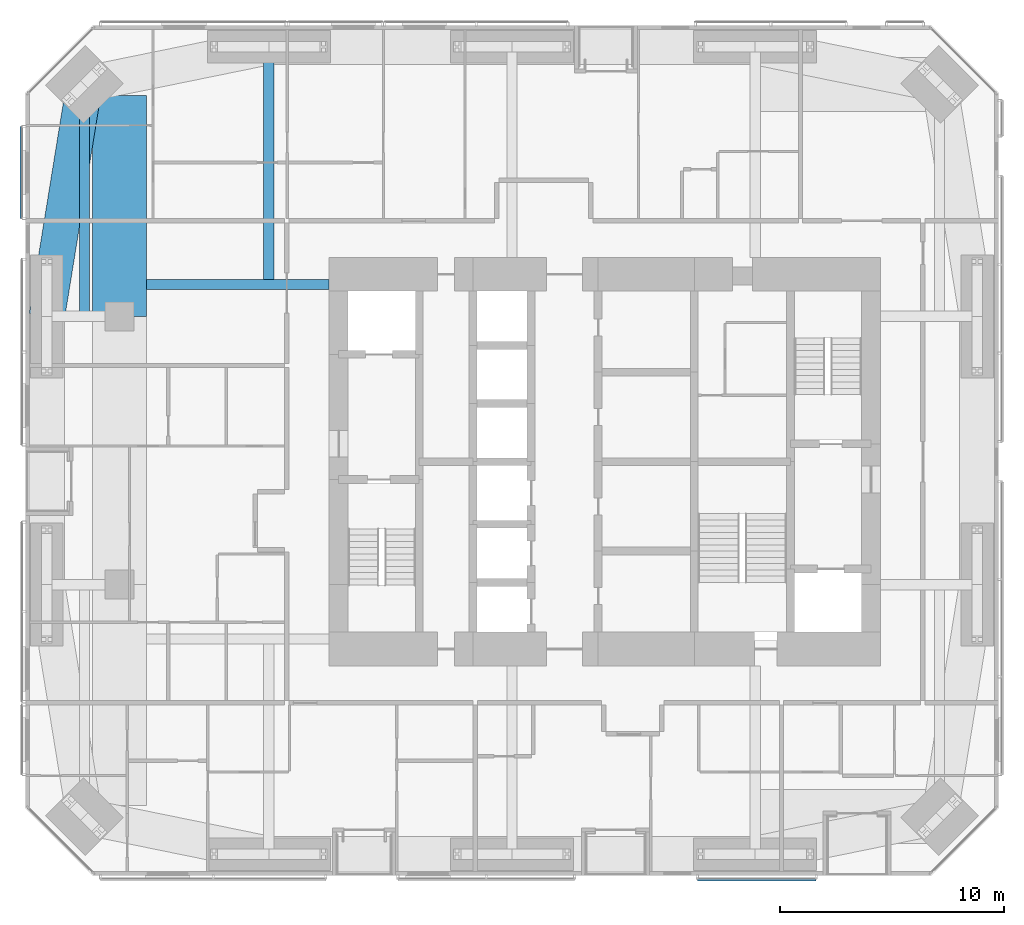
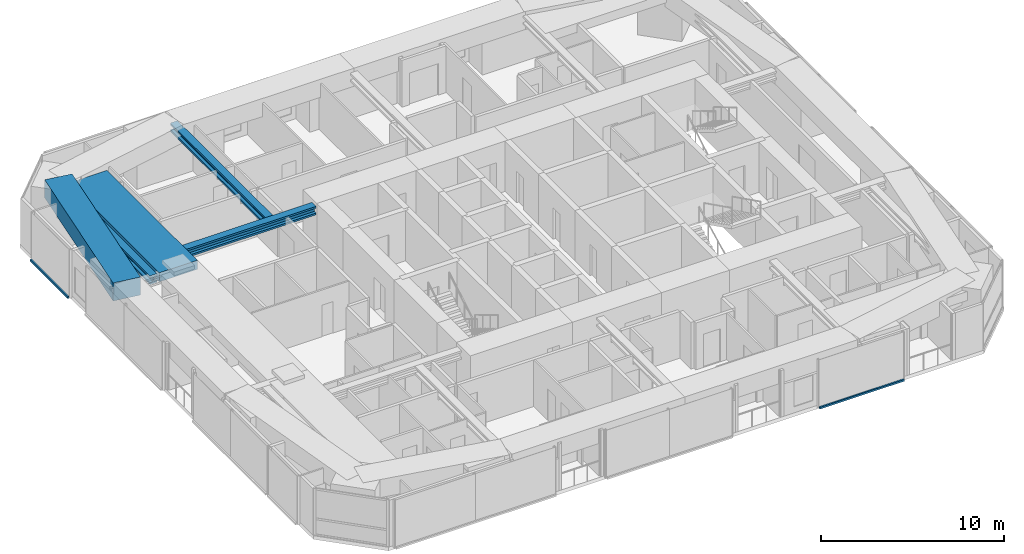
# One storey, part 7 of 23: 5 beams, 2 members, 2 elements without a shape of their own.
"""IFC4 building model written with IfcOpenShell, lengths in metres."""

import ifcopenshell
import ifcopenshell.guid

model = None  # the IFC model being written
_history = None  # IfcOwnerHistory: only IFC2X3 demands one
_inside = {}  # id of a spatial element -> (the spatial element, [elements in it])
_under = {}  # id of a project, library or spatial element -> (it, [spatial elements below it])
_declared = {}  # id of a project -> (the project, [libraries it declares])
_typed = {}  # id of a type object -> (the type object, [elements of that type])
_made_of = {}  # id of a material, layer set ... -> (it, [elements and type objects made of it])


def new_model(schema):
    """Start an empty IFC model of exactly this schema.

    Asked for "IFC4X3", IfcOpenShell would pick the latest addendum, in which some entities
    have other attributes; the version numbers below select the first issue.
    IFC2X3 requires an IfcOwnerHistory on every rooted entity: one is made here for all.
    """
    global model, _history
    if schema == "IFC4X3":
        model = ifcopenshell.file(schema_version=(4, 3, 0, 0))
    else:
        model = ifcopenshell.file(schema=schema)
    _inside.clear()
    _under.clear()
    _declared.clear()
    _typed.clear()
    _made_of.clear()
    _history = None
    if model.schema == "IFC2X3":
        org = make("IfcOrganization", Name="unknown")
        user = make(
            "IfcPersonAndOrganization",
            ThePerson=make("IfcPerson", FamilyName="unknown"),
            TheOrganization=org,
        )
        app = make(
            "IfcApplication",
            ApplicationDeveloper=org,
            Version="unknown",
            ApplicationFullName="unknown",
            ApplicationIdentifier="unknown",
        )
        _history = make(
            "IfcOwnerHistory",
            OwningUser=user,
            OwningApplication=app,
            ChangeAction="ADDED",
            CreationDate=0,
        )
    return model


def make(cls, **values):
    """One entity of the class cls with the attributes given. An attribute that is None is left unset."""
    return model.create_entity(
        cls, **{name: value for name, value in values.items() if value is not None}
    )


def rooted(cls, **values):
    """An entity with a GlobalId (a new one), such as an element, a storey or a relation."""
    return make(cls, GlobalId=ifcopenshell.guid.new(), OwnerHistory=_history, **values)


def si_unit(unit_type, name, prefix=None):
    """IfcSIUnit, for example si_unit("LENGTHUNIT", "METRE", prefix="MILLI")."""
    return make("IfcSIUnit", UnitType=unit_type, Prefix=prefix, Name=name)


def assignment(units):
    """IfcUnitAssignment: the units of a project."""
    return None if units is None else make("IfcUnitAssignment", Units=units)


def point(xyz):
    """IfcCartesianPoint."""
    return None if xyz is None else make("IfcCartesianPoint", Coordinates=xyz)


def direction(xyz):
    """IfcDirection."""
    return None if xyz is None else make("IfcDirection", DirectionRatios=xyz)


def frame(location, z_axis=None, x_axis=None):
    """IfcAxis2Placement3D, a coordinate frame: its origin and axes. An axis left out is left unset."""
    return make(
        "IfcAxis2Placement3D",
        Location=point(location),
        Axis=direction(z_axis),
        RefDirection=direction(x_axis),
    )


def frame_2d(location, x_axis=None):
    """IfcAxis2Placement2D, a coordinate frame in the plane: its origin and x axis."""
    return make(
        "IfcAxis2Placement2D", Location=point(location), RefDirection=direction(x_axis)
    )


def origin():
    """The frame at (0, 0, 0) with its axes left unset."""
    return frame((0.0, 0.0, 0.0))


def origin_2d():
    """The frame at (0, 0) in the plane with its x axis left unset."""
    return frame_2d((0.0, 0.0))


def place(relative_to, where):
    """IfcLocalPlacement: puts the frame where relative to a parent placement (None: the world)."""
    return make(
        "IfcLocalPlacement", PlacementRelTo=relative_to, RelativePlacement=where
    )


def context(
    kind, dimensions, precision=None, world=None, true_north=None, identifier=None
):
    """IfcGeometricRepresentationContext, for example the 3D "Model" context."""
    return make(
        "IfcGeometricRepresentationContext",
        ContextIdentifier=identifier,
        ContextType=kind,
        CoordinateSpaceDimension=dimensions,
        Precision=precision,
        WorldCoordinateSystem=world,
        TrueNorth=true_north,
    )


def subcontext(parent, identifier, kind, view, scale=None):
    """IfcGeometricRepresentationSubContext, for example "Body" below "Model"."""
    return make(
        "IfcGeometricRepresentationSubContext",
        ContextIdentifier=identifier,
        ContextType=kind,
        ParentContext=parent,
        TargetScale=scale,
        TargetView=view,
    )


def project(units=None, contexts=None):
    """IfcProject with its units and contexts."""
    return rooted(
        "IfcProject",
        Name="project",
        RepresentationContexts=contexts,
        UnitsInContext=assignment(units),
    )


def spatial(cls, under=None, at=None, **own):
    """A site, building, storey or space (cls), placed at a placement, below another one or the project."""
    s = rooted(cls, ObjectPlacement=at, **own)
    if under is not None:
        _under.setdefault(under.id(), (under, []))[1].append(s)
    return s


def profile(cls, at=None, kind="AREA", **sizes):
    """A parametric profile (cls). Its sizes go by their IFC names, for example OverallWidth=200.0."""
    return make(cls, ProfileType=kind, Position=at, **sizes)


def rectangle(**sizes):
    """IfcRectangleProfileDef."""
    return profile("IfcRectangleProfileDef", **sizes)


def i_section(**sizes):
    """IfcIShapeProfileDef."""
    return profile("IfcIShapeProfileDef", **sizes)


def extrude(swept, where, along, depth):
    """IfcExtrudedAreaSolid: the profile swept, set in the frame where, extruded along a direction by depth."""
    return make(
        "IfcExtrudedAreaSolid",
        SweptArea=swept,
        Position=where,
        ExtrudedDirection=direction(along),
        Depth=depth,
    )


def shape(context_of_items, identifier, shape_type, items):
    """IfcShapeRepresentation: the items that make up one representation, for example the "Body"."""
    return make(
        "IfcShapeRepresentation",
        ContextOfItems=context_of_items,
        RepresentationIdentifier=identifier,
        RepresentationType=shape_type,
        Items=items,
    )


def material(Name=None, Category=None):
    """IfcMaterial."""
    return make("IfcMaterial", Name=Name, Category=Category)


def material_profile(
    of_material, cross_section, Name=None, Category=None, Priority=None
):
    """IfcMaterialProfile: a cross section and its material."""
    return make(
        "IfcMaterialProfile",
        Name=Name,
        Material=of_material,
        Profile=cross_section,
        Priority=Priority,
        Category=Category,
    )


def profile_set(profiles, Name=None, composite=None):
    """IfcMaterialProfileSet."""
    return make(
        "IfcMaterialProfileSet",
        Name=Name,
        MaterialProfiles=profiles,
        CompositeProfile=composite,
    )


def made_of(thing, what):
    """Note that an element or type object is made of a material, layer set ...; save() writes the relation."""
    if what is not None:
        _made_of.setdefault(what.id(), (what, []))[1].append(thing)
    return thing


def type_object(cls, material=None, **own):
    """A type object (cls), such as IfcWallType, which elements share."""
    return made_of(rooted(cls, **own), material)


def element(
    cls,
    number,
    at=None,
    inside=None,
    cuts=None,
    type_object=None,
    material=None,
    context=None,
    identifier="Body",
    shape_type=None,
    held_by="IfcProductDefinitionShape",
    body=None,
    shapes=None,
    **own,
):
    """One element of the class cls, such as IfcWall. Its Tag is "e" and its number.

    at: its placement. inside: the storey or other place that contains it. cuts: it is an
    opening in that element (IfcRelVoidsElement). A single representation is given by context,
    identifier, shape_type and body (its items); several are given by shapes. held_by: the class
    of the entity that holds the representations. save() writes the other relations.
    """
    e = rooted(cls, Tag="e%d" % number, ObjectPlacement=at, **own)
    if body is not None:
        shapes = [shape(context, identifier, shape_type, body)]
    if shapes is not None:
        e.Representation = make(held_by, Representations=shapes)
    if inside is not None:
        _inside.setdefault(inside.id(), (inside, []))[1].append(e)
    if cuts is not None:
        rooted(
            "IfcRelVoidsElement", RelatingBuildingElement=cuts, RelatedOpeningElement=e
        )
    if type_object is not None:
        _typed.setdefault(type_object.id(), (type_object, []))[1].append(e)
    return made_of(e, material)


def aggregate(whole, parts):
    """IfcRelAggregates: a whole, such as a stair, and the parts it consists of."""
    return rooted("IfcRelAggregates", RelatingObject=whole, RelatedObjects=parts)


def save(model, path):
    """Write the relations noted so far, then the file.

    IfcRelAggregates (storeys below a building ...), IfcRelContainedInSpatialStructure (elements
    in a storey), IfcRelDefinesByType, IfcRelAssociatesMaterial and IfcRelDeclares: one each for
    every whole, place, type object, material and project.
    """
    for whole, parts in _under.values():
        aggregate(whole, parts)
    for where, things in _inside.values():
        rooted(
            "IfcRelContainedInSpatialStructure",
            RelatedElements=things,
            RelatingStructure=where,
        )
    for kind, things in _typed.values():
        rooted("IfcRelDefinesByType", RelatedObjects=things, RelatingType=kind)
    for what, things in _made_of.values():
        rooted("IfcRelAssociatesMaterial", RelatedObjects=things, RelatingMaterial=what)
    for by, libraries in _declared.values():
        rooted("IfcRelDeclares", RelatingContext=by, RelatedDefinitions=libraries)
    model.write(path)


model = new_model("IFC4")

# Units and contexts
model_context = context("Model", 3, precision=1e-05, world=origin(), true_north=direction((0.0, 1.0)))
body_context = subcontext(model_context, "Body", "Model", "MODEL_VIEW")
ifc_project = project(units=[si_unit("LENGTHUNIT", "METRE"), si_unit("AREAUNIT", "SQUARE_METRE"), si_unit("VOLUMEUNIT", "CUBIC_METRE"), si_unit("PLANEANGLEUNIT", "RADIAN"), si_unit("MASSUNIT", "GRAM", prefix="KILO")], contexts=[model_context])

# Site, building, storey
site_placement = place(None, origin())
site = spatial("IfcSite", under=ifc_project, at=site_placement, CompositionType="ELEMENT")
building_placement = place(site_placement, origin())
building = spatial("IfcBuilding", under=site, at=building_placement, Name="Jalousie Tower", CompositionType="ELEMENT")
storey_placement = place(building_placement, frame((0.0, 0.0, 111.550048828125)))
storey = spatial("IfcBuildingStorey", under=building, at=storey_placement, Name="L30", CompositionType="ELEMENT", Elevation=111.550048828125)

# Beams
ifc_material_1 = material(Name="Steel ASTM A992 Grade 50", Category="steel")
ifc_material_profile_1 = material_profile(ifc_material_1, i_section(OverallWidth=0.45458984375, OverallDepth=0.569091796875, WebThickness=0.077880859375, FlangeThickness=0.124755859375, at=origin_2d()), Name="W14X730")
ifc_profile_set_1 = profile_set([ifc_material_profile_1], Name="Steel ASTM A992 Grade 50")
beam_type_1 = type_object("IfcBeamType", Name="LEAN COLLECTOR W14X730", PredefinedType="BEAM", material=ifc_profile_set_1)
beam_1_placement = place(storey_placement, frame((11.39990234375, 26.425048828125, 2.825439453125), z_axis=(1.0, 0.0, 0.0), x_axis=(0.0, 1.0, 0.0)))
element("IfcBeam", 1, at=beam_1_placement, inside=storey, type_object=beam_type_1, Name="Lean collector under L31", PredefinedType="BEAM", context=body_context, shape_type="SweptSolid", body=[
    extrude(i_section(OverallWidth=0.45458984375, OverallDepth=0.569091796875, WebThickness=0.077880859375, FlangeThickness=0.124755859375, at=origin_2d()), origin(), (0.0, 0.0, 1.0), 8.175048828125),
])
beam_2_placement = place(storey_placement, frame((8.63134765625, 35.36865234375, 2.825439453125), z_axis=(0.0, -1.0, 0.0), x_axis=(1.0, 0.0, 0.0)))
element("IfcBeam", 2, at=beam_2_placement, inside=storey, type_object=beam_type_1, Name="Lean collector under L31", PredefinedType="BEAM", context=body_context, shape_type="SweptSolid", body=[
    extrude(i_section(OverallWidth=0.45458984375, OverallDepth=0.569091796875, WebThickness=0.077880859375, FlangeThickness=0.124755859375, at=origin_2d()), origin(), (0.0, 0.0, 1.0), 10.36865234375),
])
beam_3_placement = place(storey_placement, frame((16.875, 37.050048828125, 2.825439453125), z_axis=(0.0, -1.0, 0.0), x_axis=(1.0, 0.0, 0.0)))
element("IfcBeam", 3, at=beam_3_placement, inside=storey, type_object=beam_type_1, Name="Lean collector under L31", PredefinedType="BEAM", context=body_context, shape_type="SweptSolid", body=[
    extrude(i_section(OverallWidth=0.45458984375, OverallDepth=0.569091796875, WebThickness=0.077880859375, FlangeThickness=0.124755859375, at=origin_2d()), origin(), (0.0, 0.0, 1.0), 10.625),
])
ifc_material_2 = material(Name="Concrete f'c 40 MPa", Category="concrete")
ifc_material_profile_2 = material_profile(ifc_material_2, rectangle(XDim=1.60009765625, YDim=1.199951171875, at=origin_2d()), Name="RC 1600x1200")
ifc_profile_set_2 = profile_set([ifc_material_profile_2], Name="Concrete f'c 40 MPa")
beam_type_2 = type_object("IfcBeamType", Name="RC BEAM 1600x1200", PredefinedType="BEAM", material=ifc_profile_set_2)
beam_4_placement = place(storey_placement, frame((8.63134765625, 35.36865234375, 2.75), z_axis=(-0.160070546476, -0.987105577003, 0.0), x_axis=(0.987105577003, -0.160070546476, 0.0)))
element("IfcBeam", 4, at=beam_4_placement, inside=storey, type_object=beam_type_2, Name="Edge band beam 12-13 under L31", PredefinedType="BEAM", context=body_context, shape_type="SweptSolid", body=[
    extrude(rectangle(XDim=1.60009765625, YDim=1.199951171875, at=origin_2d()), origin(), (0.0, 0.0, 1.0), 10.504150390625),
])
ifc_material_3 = material(Name="Concrete f'c 40 MPa", Category="concrete")
ifc_material_profile_3 = material_profile(ifc_material_3, rectangle(XDim=2.39990234375, YDim=0.60009765625, at=origin_2d()), Name="RC 2400x600")
ifc_profile_set_3 = profile_set([ifc_material_profile_3], Name="Concrete f'c 40 MPa")
beam_type_3 = type_object("IfcBeamType", Name="RC BEAM 2400x600", PredefinedType="BEAM", material=ifc_profile_set_3)
beam_5_placement = place(storey_placement, frame((10.199951171875, 25.0, 2.81005859375), z_axis=(0.0, 1.0, 0.0), x_axis=(-1.0, 0.0, 0.0)))
element("IfcBeam", 5, at=beam_5_placement, inside=storey, type_object=beam_type_3, Name="Floor band beam under L31", PredefinedType="BEAM", context=body_context, shape_type="SweptSolid", body=[
    extrude(rectangle(XDim=2.39990234375, YDim=0.60009765625, at=origin_2d()), origin(), (0.0, 0.0, 1.0), 9.8720703125),
])

# Curtain wall, member
ifc_material_4 = material(Name="Perforated aluminium sheet", Category="aluminium")
curtain_wall_type = type_object("IfcCurtainWallType", Name="SOLAR SCREEN SS-1", PredefinedType="USERDEFINED", material=ifc_material_4)
curtain_wall_1_placement = place(storey_placement, origin())
curtain_wall_1 = element("IfcCurtainWall", 6, at=curtain_wall_1_placement, inside=storey, type_object=curtain_wall_type, Name="Solar screen L30", ObjectType="SOLAR SCREEN SS-1", PredefinedType="USERDEFINED")
ifc_material_5 = material(Name="Extruded aluminium screen rail", Category="aluminium")
ifc_material_profile_4 = material_profile(ifc_material_5, rectangle(XDim=0.1015625, YDim=0.1201171875, at=origin_2d()), Name="RAIL 102x120")
ifc_profile_set_4 = profile_set([ifc_material_profile_4], Name="Extruded aluminium screen rail")
member_type = type_object("IfcMemberType", Name="SOLAR SCREEN SS-1 TRANSOM", PredefinedType="USERDEFINED", material=ifc_profile_set_4)
member_1_placement = place(storey_placement, frame((36.0400390625, -0.1982421875, -0.06005859375), z_axis=(1.0, 0.0, 0.0), x_axis=(0.0, 1.0, 0.0)))
member_1 = element("IfcMember", 7, at=member_1_placement, type_object=member_type, Name="SS1 rail", ObjectType="TRANSOM", PredefinedType="USERDEFINED", context=body_context, shape_type="SweptSolid", body=[
    extrude(rectangle(XDim=0.1015625, YDim=0.1201171875, at=origin_2d()), origin(), (0.0, 0.0, 1.0), 5.31005859375),
])
aggregate(curtain_wall_1, [member_1])

curtain_wall_2_placement = place(storey_placement, origin())
curtain_wall_2 = element("IfcCurtainWall", 8, at=curtain_wall_2_placement, inside=storey, type_object=curtain_wall_type, Name="Solar screen L30", ObjectType="SOLAR SCREEN SS-1", PredefinedType="USERDEFINED")
member_2_placement = place(storey_placement, frame((5.8017578125, 33.486083984375, -0.06005859375), z_axis=(0.0, -1.0, 0.0), x_axis=(1.0, 0.0, 0.0)))
member_2 = element("IfcMember", 9, at=member_2_placement, type_object=member_type, Name="SS1 rail", ObjectType="TRANSOM", PredefinedType="USERDEFINED", context=body_context, shape_type="SweptSolid", body=[
    extrude(rectangle(XDim=0.1015625, YDim=0.1201171875, at=origin_2d()), origin(), (0.0, 0.0, 1.0), 4.111083984375),
])
aggregate(curtain_wall_2, [member_2])

save(model, "model.ifc")
